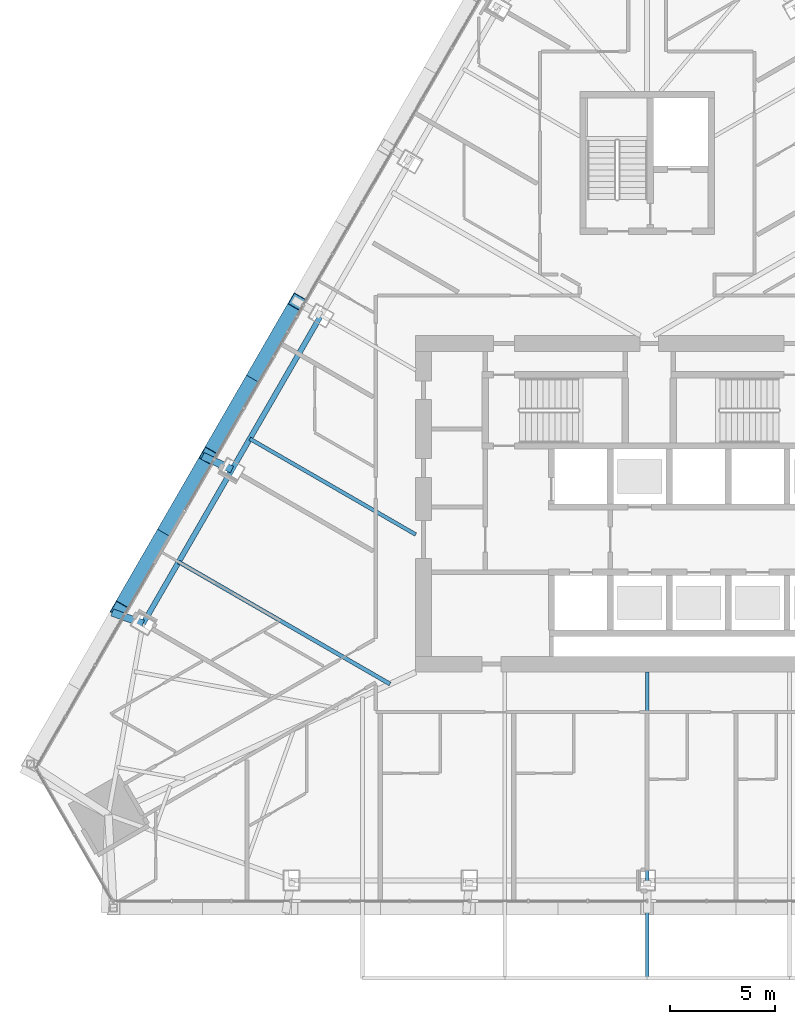
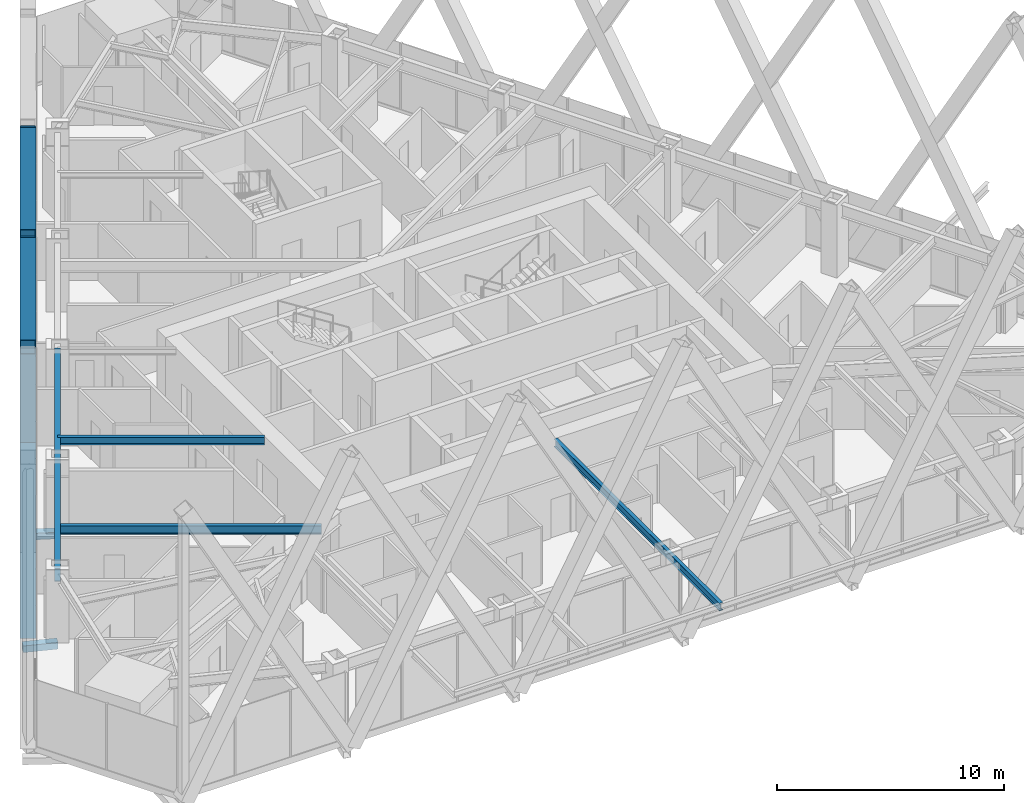
# One storey, part 4 of 19: 6 members, 4 beams.
"""IFC4 building model written with IfcOpenShell, lengths in metres."""

from ifc_helpers import new_model, si_unit, direction, frame, origin, origin_2d, place, context, subcontext, project, spatial, hollow_rectangle, i_section, extrude, material, material_profile, profile_set, type_object, element, save


model = new_model("IFC4")

# Units and contexts
model_context = context("Model", 3, precision=1e-05, world=origin(), true_north=direction((0.0, 1.0)))
body_context = subcontext(model_context, "Body", "Model", "MODEL_VIEW")
ifc_project = project(units=[si_unit("LENGTHUNIT", "METRE"), si_unit("AREAUNIT", "SQUARE_METRE"), si_unit("VOLUMEUNIT", "CUBIC_METRE"), si_unit("PLANEANGLEUNIT", "RADIAN"), si_unit("MASSUNIT", "GRAM", prefix="KILO")], contexts=[model_context])

# Site, building, storey
site_placement = place(None, origin())
site = spatial("IfcSite", under=ifc_project, at=site_placement, CompositionType="ELEMENT")
building_placement = place(site_placement, origin())
building = spatial("IfcBuilding", under=site, at=building_placement, Name="Firuza Gate Tower and Library", CompositionType="ELEMENT")
storey_placement = place(building_placement, frame((0.0, 0.0, 218.199951171875)))
storey = spatial("IfcBuildingStorey", under=building, at=storey_placement, Name="L51", CompositionType="ELEMENT", Elevation=218.199951171875)

# Members
ifc_material_1 = material(Name="Steel S355", Category="steel")
ifc_material_profile_1 = material_profile(ifc_material_1, hollow_rectangle(XDim=0.699951171875, YDim=0.699951171875, WallThickness=0.030029296875, at=origin_2d()))
ifc_profile_set_1 = profile_set([ifc_material_profile_1], Name="Steel S355")
member_type_1 = type_object("IfcMemberType", Name="BU700x700x30 Lattice brace", PredefinedType="BRACE", material=ifc_profile_set_1)
for number, where, z_axis, x_axis, name in (
    (1, (58.3701171875, 84.601318359375, 0.0), (-0.23826157971, -0.412682209494, 0.879161426361), (0.86602595357, -0.499999047742, 0.0), "Lattice brace W 12.4R"),
    (2, (54.142333984375, 77.278564453125, 0.0), (0.23826157971, 0.412682209494, 0.879161426361), (-0.86602595357, 0.499999047742, 0.0), "Lattice brace W 12.4L"),
    (3, (54.142333984375, 77.278564453125, 0.0), (-0.238260226844, -0.412693625004, 0.879156434422), (0.866033171599, -0.49998654551, 0.0), "Lattice brace W 12.5R"),
    (4, (49.91455078125, 69.95556640625, 0.0), (0.238260226844, 0.412693625004, 0.879156434422), (-0.866033171599, 0.49998654551, 0.0), "Lattice brace W 12.5L"),
):
    element("IfcMember", number, at=place(storey_placement, frame(where, z_axis=z_axis, x_axis=x_axis)), inside=storey, type_object=member_type_1, Name=name, PredefinedType="BRACE", context=body_context, shape_type="SweptSolid", body=[
        extrude(hollow_rectangle(XDim=0.699951171875, YDim=0.699951171875, WallThickness=0.030029296875, at=origin_2d()), origin(), (0.0, 0.0, 1.0), 17.744384765625),
    ])
ifc_material_2 = material(Name="Steel S355", Category="steel")
ifc_material_profile_2 = material_profile(ifc_material_2, hollow_rectangle(XDim=0.355712890625, YDim=0.355712890625, WallThickness=0.014892578125, at=origin_2d()))
ifc_profile_set_2 = profile_set([ifc_material_profile_2], Name="Steel S355")
member_type_2 = type_object("IfcMemberType", Name="HSS356x356x16 Lattice node tie", PredefinedType="BRACE", material=ifc_profile_set_2)
member_1_placement = place(storey_placement, frame((51.040283203125, 69.3056640625, -0.320068359375), z_axis=(-0.940688215805, 0.339272280987, 0.0), x_axis=(-0.339272280987, -0.940688215805, 0.0)))
element("IfcMember", 5, at=member_1_placement, inside=storey, type_object=member_type_2, Name="Lattice node tie W L51 282", PredefinedType="BRACE", context=body_context, shape_type="SweptSolid", body=[
    extrude(hollow_rectangle(XDim=0.355712890625, YDim=0.355712890625, WallThickness=0.014892578125, at=origin_2d()), origin(), (0.0, 0.0, 1.0), 1.563720703125),
])
member_2_placement = place(storey_placement, frame((55.26806640625, 76.62841796875, -0.320068359375), z_axis=(-0.907185612585, 0.420730631542, 0.0), x_axis=(-0.420730631542, -0.907185612585, 0.0)))
element("IfcMember", 6, at=member_2_placement, inside=storey, type_object=member_type_2, Name="Lattice node tie W L51 283", PredefinedType="BRACE", context=body_context, shape_type="SweptSolid", body=[
    extrude(hollow_rectangle(XDim=0.355712890625, YDim=0.355712890625, WallThickness=0.014892578125, at=origin_2d()), origin(), (0.0, 0.0, 1.0), 1.545166015625),
])

# Beams
ifc_material_3 = material(Name="Steel S355", Category="steel")
ifc_material_profile_3 = material_profile(ifc_material_3, i_section(OverallWidth=0.177978515625, OverallDepth=0.406982421875, WebThickness=0.0078125, FlangeThickness=0.0126953125, at=origin_2d()))
ifc_profile_set_3 = profile_set([ifc_material_profile_3], Name="Steel S355")
beam_type_1 = type_object("IfcBeamType", Name="W410x60 Floor beam", PredefinedType="JOIST", material=ifc_profile_set_3)
beam_1_placement = place(storey_placement, frame((75.0, 52.447509765625, 3.49658203125), z_axis=(0.0, 1.0, 0.0), x_axis=(-1.0, 0.0, 0.0)))
element("IfcBeam", 7, at=beam_1_placement, inside=storey, type_object=beam_type_1, Name="Floor beam L51 s22", PredefinedType="JOIST", context=body_context, shape_type="SweptSolid", body=[
    extrude(i_section(OverallWidth=0.177978515625, OverallDepth=0.406982421875, WebThickness=0.0078125, FlangeThickness=0.0126953125, at=origin_2d()), origin(), (0.0, 0.0, 1.0), 14.552490234375),
])
beam_2_placement = place(storey_placement, frame((56.11376953125, 78.093017578125, 3.49658203125), z_axis=(0.86602039319, -0.500008678503, 0.0), x_axis=(0.500008678503, 0.86602039319, 0.0)))
element("IfcBeam", 8, at=beam_2_placement, inside=storey, type_object=beam_type_1, Name="Floor beam L51 s83", PredefinedType="JOIST", context=body_context, shape_type="SweptSolid", body=[
    extrude(i_section(OverallWidth=0.177978515625, OverallDepth=0.406982421875, WebThickness=0.0078125, FlangeThickness=0.0126953125, at=origin_2d()), origin(), (0.0, 0.0, 1.0), 9.106201171875),
])
ifc_material_4 = material(Name="Steel S355", Category="steel")
ifc_material_profile_4 = material_profile(ifc_material_4, i_section(OverallWidth=0.18994140625, OverallDepth=0.45703125, WebThickness=0.009033203125, FlangeThickness=0.014404296875, at=origin_2d()))
ifc_profile_set_4 = profile_set([ifc_material_profile_4], Name="Steel S355")
beam_type_2 = type_object("IfcBeamType", Name="W460x74 Floor beam", PredefinedType="JOIST", material=ifc_profile_set_4)
beam_3_placement = place(storey_placement, frame((52.7314453125, 72.23486328125, 3.471435546875), z_axis=(0.866021598738, -0.500006590476, 0.0), x_axis=(0.500006590476, 0.866021598738, 0.0)))
element("IfcBeam", 9, at=beam_3_placement, inside=storey, type_object=beam_type_2, Name="Floor beam L51 s84", PredefinedType="JOIST", context=body_context, shape_type="SweptSolid", body=[
    extrude(i_section(OverallWidth=0.18994140625, OverallDepth=0.45703125, WebThickness=0.009033203125, FlangeThickness=0.014404296875, at=origin_2d()), origin(), (0.0, 0.0, 1.0), 11.602783203125),
])
ifc_material_5 = material(Name="Steel S355", Category="steel")
ifc_material_profile_5 = material_profile(ifc_material_5, i_section(OverallWidth=0.2529296875, OverallDepth=0.677978515625, WebThickness=0.01171875, FlangeThickness=0.016357421875, at=origin_2d()))
ifc_profile_set_5 = profile_set([ifc_material_profile_5], Name="Steel S355")
beam_type_3 = type_object("IfcBeamType", Name="W690x125 Edge beam", PredefinedType="SPANDREL", material=ifc_profile_set_5)
beam_4_placement = place(storey_placement, frame((59.495849609375, 83.951171875, 3.361083984375), z_axis=(-0.499999047742, -0.86602595357, 0.0), x_axis=(0.86602595357, -0.499999047742, 0.0)))
element("IfcBeam", 10, at=beam_4_placement, inside=storey, type_object=beam_type_3, Name="Edge beam L51 e82", PredefinedType="SPANDREL", context=body_context, shape_type="SweptSolid", body=[
    extrude(i_section(OverallWidth=0.2529296875, OverallDepth=0.677978515625, WebThickness=0.01171875, FlangeThickness=0.016357421875, at=origin_2d()), origin(), (0.0, 0.0, 1.0), 16.9111328125),
])

save(model, "model.ifc")
